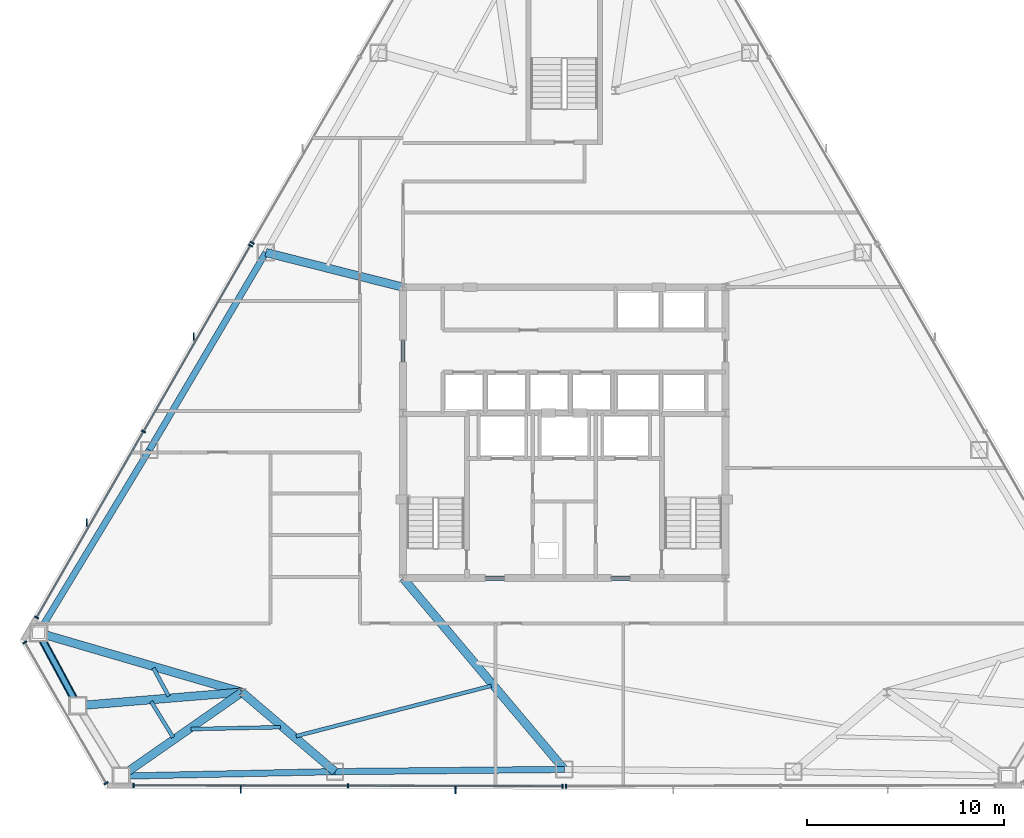
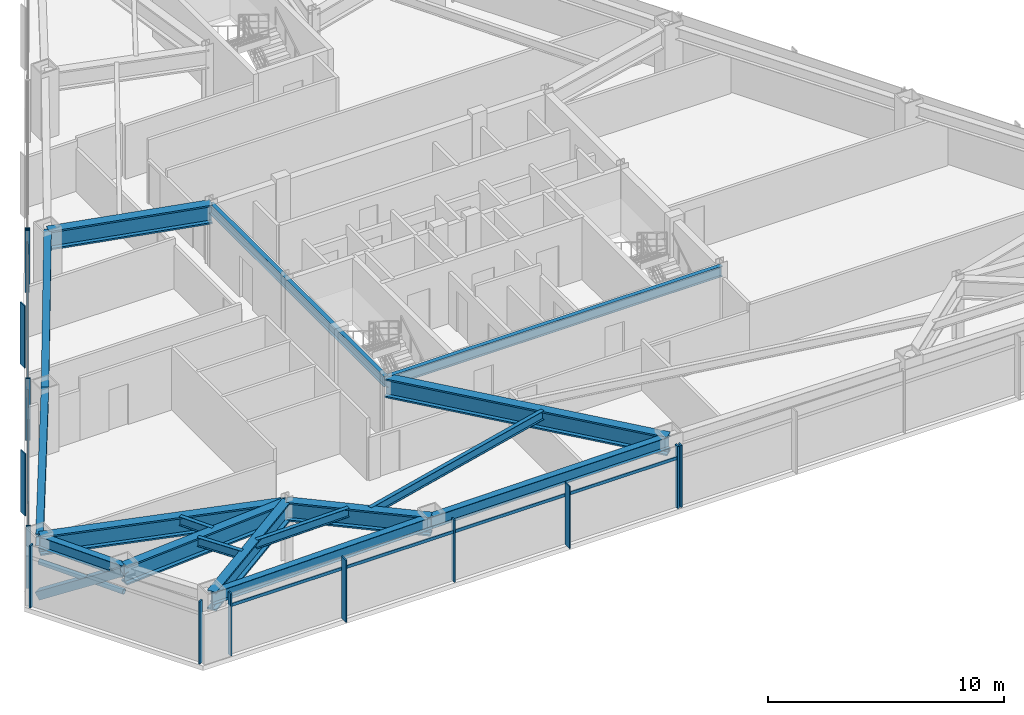
# One storey, part 4 of 13: 18 members, 17 beams, 5 elements without a shape of their own.
"""IFC4 building model written with IfcOpenShell, lengths in metres."""

import ifcopenshell
import ifcopenshell.guid

model = None  # the IFC model being written
_history = None  # IfcOwnerHistory: only IFC2X3 demands one
_inside = {}  # id of a spatial element -> (the spatial element, [elements in it])
_under = {}  # id of a project, library or spatial element -> (it, [spatial elements below it])
_declared = {}  # id of a project -> (the project, [libraries it declares])
_typed = {}  # id of a type object -> (the type object, [elements of that type])
_made_of = {}  # id of a material, layer set ... -> (it, [elements and type objects made of it])


def new_model(schema):
    """Start an empty IFC model of exactly this schema.

    Asked for "IFC4X3", IfcOpenShell would pick the latest addendum, in which some entities
    have other attributes; the version numbers below select the first issue.
    IFC2X3 requires an IfcOwnerHistory on every rooted entity: one is made here for all.
    """
    global model, _history
    if schema == "IFC4X3":
        model = ifcopenshell.file(schema_version=(4, 3, 0, 0))
    else:
        model = ifcopenshell.file(schema=schema)
    _inside.clear()
    _under.clear()
    _declared.clear()
    _typed.clear()
    _made_of.clear()
    _history = None
    if model.schema == "IFC2X3":
        org = make("IfcOrganization", Name="unknown")
        user = make(
            "IfcPersonAndOrganization",
            ThePerson=make("IfcPerson", FamilyName="unknown"),
            TheOrganization=org,
        )
        app = make(
            "IfcApplication",
            ApplicationDeveloper=org,
            Version="unknown",
            ApplicationFullName="unknown",
            ApplicationIdentifier="unknown",
        )
        _history = make(
            "IfcOwnerHistory",
            OwningUser=user,
            OwningApplication=app,
            ChangeAction="ADDED",
            CreationDate=0,
        )
    return model


def make(cls, **values):
    """One entity of the class cls with the attributes given. An attribute that is None is left unset."""
    return model.create_entity(
        cls, **{name: value for name, value in values.items() if value is not None}
    )


def rooted(cls, **values):
    """An entity with a GlobalId (a new one), such as an element, a storey or a relation."""
    return make(cls, GlobalId=ifcopenshell.guid.new(), OwnerHistory=_history, **values)


def si_unit(unit_type, name, prefix=None):
    """IfcSIUnit, for example si_unit("LENGTHUNIT", "METRE", prefix="MILLI")."""
    return make("IfcSIUnit", UnitType=unit_type, Prefix=prefix, Name=name)


def assignment(units):
    """IfcUnitAssignment: the units of a project."""
    return None if units is None else make("IfcUnitAssignment", Units=units)


def point(xyz):
    """IfcCartesianPoint."""
    return None if xyz is None else make("IfcCartesianPoint", Coordinates=xyz)


def direction(xyz):
    """IfcDirection."""
    return None if xyz is None else make("IfcDirection", DirectionRatios=xyz)


def frame(location, z_axis=None, x_axis=None):
    """IfcAxis2Placement3D, a coordinate frame: its origin and axes. An axis left out is left unset."""
    return make(
        "IfcAxis2Placement3D",
        Location=point(location),
        Axis=direction(z_axis),
        RefDirection=direction(x_axis),
    )


def frame_2d(location, x_axis=None):
    """IfcAxis2Placement2D, a coordinate frame in the plane: its origin and x axis."""
    return make(
        "IfcAxis2Placement2D", Location=point(location), RefDirection=direction(x_axis)
    )


def origin():
    """The frame at (0, 0, 0) with its axes left unset."""
    return frame((0.0, 0.0, 0.0))


def origin_2d():
    """The frame at (0, 0) in the plane with its x axis left unset."""
    return frame_2d((0.0, 0.0))


def place(relative_to, where):
    """IfcLocalPlacement: puts the frame where relative to a parent placement (None: the world)."""
    return make(
        "IfcLocalPlacement", PlacementRelTo=relative_to, RelativePlacement=where
    )


def context(
    kind, dimensions, precision=None, world=None, true_north=None, identifier=None
):
    """IfcGeometricRepresentationContext, for example the 3D "Model" context."""
    return make(
        "IfcGeometricRepresentationContext",
        ContextIdentifier=identifier,
        ContextType=kind,
        CoordinateSpaceDimension=dimensions,
        Precision=precision,
        WorldCoordinateSystem=world,
        TrueNorth=true_north,
    )


def subcontext(parent, identifier, kind, view, scale=None):
    """IfcGeometricRepresentationSubContext, for example "Body" below "Model"."""
    return make(
        "IfcGeometricRepresentationSubContext",
        ContextIdentifier=identifier,
        ContextType=kind,
        ParentContext=parent,
        TargetScale=scale,
        TargetView=view,
    )


def project(units=None, contexts=None):
    """IfcProject with its units and contexts."""
    return rooted(
        "IfcProject",
        Name="project",
        RepresentationContexts=contexts,
        UnitsInContext=assignment(units),
    )


def spatial(cls, under=None, at=None, **own):
    """A site, building, storey or space (cls), placed at a placement, below another one or the project."""
    s = rooted(cls, ObjectPlacement=at, **own)
    if under is not None:
        _under.setdefault(under.id(), (under, []))[1].append(s)
    return s


def profile(cls, at=None, kind="AREA", **sizes):
    """A parametric profile (cls). Its sizes go by their IFC names, for example OverallWidth=200.0."""
    return make(cls, ProfileType=kind, Position=at, **sizes)


def rectangle(**sizes):
    """IfcRectangleProfileDef."""
    return profile("IfcRectangleProfileDef", **sizes)


def hollow_rectangle(**sizes):
    """IfcRectangleHollowProfileDef."""
    return profile("IfcRectangleHollowProfileDef", **sizes)


def hollow_circle(**sizes):
    """IfcCircleHollowProfileDef."""
    return profile("IfcCircleHollowProfileDef", **sizes)


def i_section(**sizes):
    """IfcIShapeProfileDef."""
    return profile("IfcIShapeProfileDef", **sizes)


def extrude(swept, where, along, depth):
    """IfcExtrudedAreaSolid: the profile swept, set in the frame where, extruded along a direction by depth."""
    return make(
        "IfcExtrudedAreaSolid",
        SweptArea=swept,
        Position=where,
        ExtrudedDirection=direction(along),
        Depth=depth,
    )


def shape(context_of_items, identifier, shape_type, items):
    """IfcShapeRepresentation: the items that make up one representation, for example the "Body"."""
    return make(
        "IfcShapeRepresentation",
        ContextOfItems=context_of_items,
        RepresentationIdentifier=identifier,
        RepresentationType=shape_type,
        Items=items,
    )


def source(mapping_origin, context_of_items, identifier, shape_type, items):
    """IfcRepresentationMap: a shape defined once, which mapped items show again and again."""
    return make(
        "IfcRepresentationMap",
        MappingOrigin=mapping_origin,
        MappedRepresentation=shape(context_of_items, identifier, shape_type, items),
    )


def transform(
    local_origin,
    x_axis=None,
    y_axis=None,
    z_axis=None,
    scale=None,
    scale2=None,
    scale3=None,
    uniform=True,
):
    """IfcCartesianTransformationOperator3D, or its non-uniform kind. x_axis, y_axis, z_axis: its Axis1, 2, 3."""
    if uniform:
        return make(
            "IfcCartesianTransformationOperator3D",
            Axis1=direction(x_axis),
            Axis2=direction(y_axis),
            LocalOrigin=point(local_origin),
            Scale=scale,
            Axis3=direction(z_axis),
        )
    return make(
        "IfcCartesianTransformationOperator3DnonUniform",
        Axis1=direction(x_axis),
        Axis2=direction(y_axis),
        LocalOrigin=point(local_origin),
        Scale=scale,
        Axis3=direction(z_axis),
        Scale2=scale2,
        Scale3=scale3,
    )


def mapped(mapping_source, mapping_target):
    """IfcMappedItem: shows the shape of a source again, moved by a transform."""
    return make(
        "IfcMappedItem", MappingSource=mapping_source, MappingTarget=mapping_target
    )


def material(Name=None, Category=None):
    """IfcMaterial."""
    return make("IfcMaterial", Name=Name, Category=Category)


def layer(
    of_material, thickness, ventilated=None, Name=None, Category=None, Priority=None
):
    """IfcMaterialLayer: one layer of a wall or slab, of a material (None: an air gap)."""
    return make(
        "IfcMaterialLayer",
        Material=of_material,
        LayerThickness=thickness,
        IsVentilated=ventilated,
        Name=Name,
        Category=Category,
        Priority=Priority,
    )


def layer_set(layers, Name=None):
    """IfcMaterialLayerSet."""
    return make("IfcMaterialLayerSet", MaterialLayers=layers, LayerSetName=Name)


def material_profile(
    of_material, cross_section, Name=None, Category=None, Priority=None
):
    """IfcMaterialProfile: a cross section and its material."""
    return make(
        "IfcMaterialProfile",
        Name=Name,
        Material=of_material,
        Profile=cross_section,
        Priority=Priority,
        Category=Category,
    )


def profile_set(profiles, Name=None, composite=None):
    """IfcMaterialProfileSet."""
    return make(
        "IfcMaterialProfileSet",
        Name=Name,
        MaterialProfiles=profiles,
        CompositeProfile=composite,
    )


def made_of(thing, what):
    """Note that an element or type object is made of a material, layer set ...; save() writes the relation."""
    if what is not None:
        _made_of.setdefault(what.id(), (what, []))[1].append(thing)
    return thing


def type_object(cls, material=None, **own):
    """A type object (cls), such as IfcWallType, which elements share."""
    return made_of(rooted(cls, **own), material)


def type_shapes(of_type, sources):
    """Give a type object the sources (RepresentationMaps) that its elements show as mapped items."""
    of_type.RepresentationMaps = sources


def element(
    cls,
    number,
    at=None,
    inside=None,
    cuts=None,
    type_object=None,
    material=None,
    context=None,
    identifier="Body",
    shape_type=None,
    held_by="IfcProductDefinitionShape",
    body=None,
    shapes=None,
    **own,
):
    """One element of the class cls, such as IfcWall. Its Tag is "e" and its number.

    at: its placement. inside: the storey or other place that contains it. cuts: it is an
    opening in that element (IfcRelVoidsElement). A single representation is given by context,
    identifier, shape_type and body (its items); several are given by shapes. held_by: the class
    of the entity that holds the representations. save() writes the other relations.
    """
    e = rooted(cls, Tag="e%d" % number, ObjectPlacement=at, **own)
    if body is not None:
        shapes = [shape(context, identifier, shape_type, body)]
    if shapes is not None:
        e.Representation = make(held_by, Representations=shapes)
    if inside is not None:
        _inside.setdefault(inside.id(), (inside, []))[1].append(e)
    if cuts is not None:
        rooted(
            "IfcRelVoidsElement", RelatingBuildingElement=cuts, RelatedOpeningElement=e
        )
    if type_object is not None:
        _typed.setdefault(type_object.id(), (type_object, []))[1].append(e)
    return made_of(e, material)


def aggregate(whole, parts):
    """IfcRelAggregates: a whole, such as a stair, and the parts it consists of."""
    return rooted("IfcRelAggregates", RelatingObject=whole, RelatedObjects=parts)


def save(model, path):
    """Write the relations noted so far, then the file.

    IfcRelAggregates (storeys below a building ...), IfcRelContainedInSpatialStructure (elements
    in a storey), IfcRelDefinesByType, IfcRelAssociatesMaterial and IfcRelDeclares: one each for
    every whole, place, type object, material and project.
    """
    for whole, parts in _under.values():
        aggregate(whole, parts)
    for where, things in _inside.values():
        rooted(
            "IfcRelContainedInSpatialStructure",
            RelatedElements=things,
            RelatingStructure=where,
        )
    for kind, things in _typed.values():
        rooted("IfcRelDefinesByType", RelatedObjects=things, RelatingType=kind)
    for what, things in _made_of.values():
        rooted("IfcRelAssociatesMaterial", RelatedObjects=things, RelatingMaterial=what)
    for by, libraries in _declared.values():
        rooted("IfcRelDeclares", RelatingContext=by, RelatedDefinitions=libraries)
    model.write(path)


model = new_model("IFC4")

# Units and contexts
model_context = context("Model", 3, precision=1e-05, world=origin(), true_north=direction((0.0, 1.0)))
body_context = subcontext(model_context, "Body", "Model", "MODEL_VIEW")
ifc_project = project(units=[si_unit("LENGTHUNIT", "METRE"), si_unit("AREAUNIT", "SQUARE_METRE"), si_unit("VOLUMEUNIT", "CUBIC_METRE"), si_unit("PLANEANGLEUNIT", "RADIAN"), si_unit("MASSUNIT", "GRAM", prefix="KILO")], contexts=[model_context])

# Site, building, storey
site_placement = place(None, origin())
site = spatial("IfcSite", under=ifc_project, at=site_placement, CompositionType="ELEMENT")
building_placement = place(site_placement, origin())
building = spatial("IfcBuilding", under=site, at=building_placement, Name="Varakhsha Concourse Tower", CompositionType="ELEMENT")
storey_placement = place(building_placement, frame((0.0, 0.0, 126.35009765625)))
storey = spatial("IfcBuildingStorey", under=building, at=storey_placement, Name="L36", CompositionType="ELEMENT", Elevation=126.35009765625)

# Beams
ifc_material_1 = material(Name="Structural Steel ASTM A992 Grade 50", Category="steel")
ifc_material_profile_1 = material_profile(ifc_material_1, i_section(OverallWidth=0.19091796875, OverallDepth=0.45703125, WebThickness=0.009033203125, FlangeThickness=0.013916015625, at=origin_2d()), Name="W18X50")
ifc_profile_set_1 = profile_set([ifc_material_profile_1], Name="Structural Steel ASTM A992 Grade 50")
beam_type_1 = type_object("IfcBeamType", Name="BM-JST-W18X50", PredefinedType="JOIST", material=ifc_profile_set_1)
beam_1_placement = place(storey_placement, frame((19.1005859375, 11.83154296875, 2.9814453125), z_axis=(0.474928924702, -0.88002415676, 0.0), x_axis=(0.88002415676, 0.474928924702, 0.0)))
element("IfcBeam", 1, at=beam_1_placement, inside=storey, type_object=beam_type_1, Name="BM-TJST-L36-07", PredefinedType="JOIST", context=body_context, shape_type="SweptSolid", body=[
    extrude(i_section(OverallWidth=0.19091796875, OverallDepth=0.45703125, WebThickness=0.009033203125, FlangeThickness=0.013916015625, at=origin_2d()), origin(), (0.0, 0.0, 1.0), 1.632568359375),
])
beam_2_placement = place(storey_placement, frame((18.984619140625, 10.121826171875, 2.9814453125), z_axis=(0.524619789349, -0.851336641184, 0.0), x_axis=(0.851336641184, 0.524619789349, 0.0)))
element("IfcBeam", 2, at=beam_2_placement, inside=storey, type_object=beam_type_1, Name="BM-TJST-L36-08", PredefinedType="JOIST", context=body_context, shape_type="SweptSolid", body=[
    extrude(i_section(OverallWidth=0.19091796875, OverallDepth=0.45703125, WebThickness=0.009033203125, FlangeThickness=0.013916015625, at=origin_2d()), origin(), (0.0, 0.0, 1.0), 2.137939453125),
])
beam_3_placement = place(storey_placement, frame((21.01025390625, 8.722900390625, 2.9814453125), z_axis=(0.999774600356, 0.021230837996, 0.0), x_axis=(-0.021230837996, 0.999774600356, 0.0)))
element("IfcBeam", 3, at=beam_3_placement, inside=storey, type_object=beam_type_1, Name="BM-TJST-L36-09", PredefinedType="JOIST", context=body_context, shape_type="SweptSolid", body=[
    extrude(i_section(OverallWidth=0.19091796875, OverallDepth=0.45703125, WebThickness=0.009033203125, FlangeThickness=0.013916015625, at=origin_2d()), origin(), (0.0, 0.0, 1.0), 4.565185546875),
])
beam_4_placement = place(storey_placement, frame((26.359375, 8.36474609375, 2.9814453125), z_axis=(0.968318391646, 0.249718826682, 0.0), x_axis=(-0.249718826682, 0.968318391646, 0.0)))
element("IfcBeam", 4, at=beam_4_placement, inside=storey, type_object=beam_type_1, Name="BM-TJST-L36-10", PredefinedType="JOIST", context=body_context, shape_type="SweptSolid", body=[
    extrude(i_section(OverallWidth=0.19091796875, OverallDepth=0.45703125, WebThickness=0.009033203125, FlangeThickness=0.013916015625, at=origin_2d()), origin(), (0.0, 0.0, 1.0), 10.250732421875),
])
ifc_material_profile_2 = material_profile(ifc_material_1, i_section(OverallWidth=0.2109375, OverallDepth=0.5390625, WebThickness=0.011962890625, FlangeThickness=0.01904296875, at=origin_2d()), Name="W21X73")
ifc_profile_set_2 = profile_set([ifc_material_profile_2], Name="Structural Steel ASTM A992 Grade 50")
beam_type_2 = type_object("IfcBeamType", Name="BM-RAD-W21X73", PredefinedType="BEAM", material=ifc_profile_set_2)
beam_5_placement = place(storey_placement, frame((31.800048828125, 16.39990234375, 2.9404296875), z_axis=(1.0, 0.0, 0.0), x_axis=(0.0, 1.0, 0.0)))
element("IfcBeam", 5, at=beam_5_placement, inside=storey, type_object=beam_type_2, Name="BM-TCORE-L36-CS", PredefinedType="BEAM", context=body_context, shape_type="SweptSolid", body=[
    extrude(i_section(OverallWidth=0.2109375, OverallDepth=0.5390625, WebThickness=0.011962890625, FlangeThickness=0.01904296875, at=origin_2d()), origin(), (0.0, 0.0, 1.0), 16.39990234375),
])
beam_6_placement = place(storey_placement, frame((31.800048828125, 16.39990234375, 2.9404296875), z_axis=(0.0, 1.0, 0.0), x_axis=(-1.0, 0.0, 0.0)))
element("IfcBeam", 6, at=beam_6_placement, inside=storey, type_object=beam_type_2, Name="BM-TCORE-L36-CW", PredefinedType="BEAM", context=body_context, shape_type="SweptSolid", body=[
    extrude(i_section(OverallWidth=0.2109375, OverallDepth=0.5390625, WebThickness=0.011962890625, FlangeThickness=0.01904296875, at=origin_2d()), origin(), (0.0, 0.0, 1.0), 14.800048828125),
])
ifc_material_profile_3 = material_profile(ifc_material_1, i_section(OverallWidth=0.323974609375, OverallDepth=0.611083984375, WebThickness=0.012939453125, FlangeThickness=0.01904296875, at=origin_2d()), Name="W24X104")
ifc_profile_set_3 = profile_set([ifc_material_profile_3], Name="Structural Steel ASTM A992 Grade 50")
beam_type_3 = type_object("IfcBeamType", Name="BM-SPAN-W24X104", PredefinedType="SPANDREL", material=ifc_profile_set_3)
beam_7_placement = place(storey_placement, frame((24.819580078125, 32.96435546875, 2.904296875), z_axis=(-0.508260965331, -0.861203106776, 0.0), x_axis=(0.861203106776, -0.508260965331, 0.0)))
element("IfcBeam", 7, at=beam_7_placement, inside=storey, type_object=beam_type_3, Name="BM-SPAN-L36-05", PredefinedType="SPANDREL", context=body_context, shape_type="SweptSolid", body=[
    extrude(i_section(OverallWidth=0.323974609375, OverallDepth=0.611083984375, WebThickness=0.012939453125, FlangeThickness=0.01904296875, at=origin_2d()), origin(), (0.0, 0.0, 1.0), 11.663330078125),
])
beam_8_placement = place(storey_placement, frame((18.8916015625, 22.919921875, 2.904296875), z_axis=(-0.518277337211, -0.855212606159, 0.0), x_axis=(0.855212606159, -0.518277337211, 0.0)))
element("IfcBeam", 8, at=beam_8_placement, inside=storey, type_object=beam_type_3, Name="BM-SPAN-L36-06", PredefinedType="SPANDREL", context=body_context, shape_type="SweptSolid", body=[
    extrude(i_section(OverallWidth=0.323974609375, OverallDepth=0.611083984375, WebThickness=0.012939453125, FlangeThickness=0.01904296875, at=origin_2d()), origin(), (0.0, 0.0, 1.0), 10.87548828125),
])
beam_9_placement = place(storey_placement, frame((13.255126953125, 13.619140625, 2.904296875), z_axis=(0.474894827548, -0.880042557362, 0.0), x_axis=(0.880042557362, 0.474894827548, 0.0)))
element("IfcBeam", 9, at=beam_9_placement, inside=storey, type_object=beam_type_3, Name="BM-SPAN-L36-07", PredefinedType="SPANDREL", context=body_context, shape_type="SweptSolid", body=[
    extrude(i_section(OverallWidth=0.323974609375, OverallDepth=0.611083984375, WebThickness=0.012939453125, FlangeThickness=0.01904296875, at=origin_2d()), origin(), (0.0, 0.0, 1.0), 4.2109375),
])
beam_10_placement = place(storey_placement, frame((17.46435546875, 6.328857421875, 2.904296875), z_axis=(0.999774947376, 0.021214490295, 0.0), x_axis=(-0.021214490295, 0.999774947376, 0.0)))
element("IfcBeam", 10, at=beam_10_placement, inside=storey, type_object=beam_type_3, Name="BM-SPAN-L36-09", PredefinedType="SPANDREL", context=body_context, shape_type="SweptSolid", body=[
    extrude(i_section(OverallWidth=0.323974609375, OverallDepth=0.611083984375, WebThickness=0.012939453125, FlangeThickness=0.01904296875, at=origin_2d()), origin(), (0.0, 0.0, 1.0), 10.875244140625),
])
beam_11_placement = place(storey_placement, frame((28.337158203125, 6.5595703125, 2.904296875), z_axis=(0.999954043986, 0.009586965987, 0.0), x_axis=(-0.009586965987, 0.999954043986, 0.0)))
element("IfcBeam", 11, at=beam_11_placement, inside=storey, type_object=beam_type_3, Name="BM-SPAN-L36-10", PredefinedType="SPANDREL", context=body_context, shape_type="SweptSolid", body=[
    extrude(i_section(OverallWidth=0.323974609375, OverallDepth=0.611083984375, WebThickness=0.012939453125, FlangeThickness=0.01904296875, at=origin_2d()), origin(), (0.0, 0.0, 1.0), 11.663330078125),
])
ifc_material_profile_4 = material_profile(ifc_material_1, i_section(OverallWidth=0.427978515625, OverallDepth=0.97509765625, WebThickness=0.050048828125, FlangeThickness=0.0810546875, at=origin_2d()), Name="W36X395")
ifc_profile_set_4 = profile_set([ifc_material_profile_4], Name="Structural Steel ASTM A992 Grade 50")
beam_type_4 = type_object("IfcBeamType", Name="BM-XFER-W36X395", PredefinedType="USERDEFINED", material=ifc_profile_set_4)
beam_12_placement = place(storey_placement, frame((31.800048828125, 31.199951171875, 2.722412109375), z_axis=(-0.969508926841, 0.245055995183, 0.0), x_axis=(-0.245055995183, -0.969508926841, 0.0)))
element("IfcBeam", 12, at=beam_12_placement, inside=storey, type_object=beam_type_4, Name="L36 Radial Floor Girder 05", ObjectType="GIRDER", PredefinedType="USERDEFINED", context=body_context, shape_type="SweptSolid", body=[
    extrude(i_section(OverallWidth=0.427978515625, OverallDepth=0.97509765625, WebThickness=0.050048828125, FlangeThickness=0.0810546875, at=origin_2d()), origin(), (0.0, 0.0, 1.0), 7.199951171875),
])
beam_13_placement = place(storey_placement, frame((23.60009765625, 10.60009765625, 2.722412109375), z_axis=(-0.959956092068, 0.280150497593, 0.0), x_axis=(-0.280150497593, -0.959956092068, 0.0)))
element("IfcBeam", 13, at=beam_13_placement, inside=storey, type_object=beam_type_4, Name="L36 Radial Floor Girder 07", ObjectType="GIRDER", PredefinedType="USERDEFINED", context=body_context, shape_type="SweptSolid", body=[
    extrude(i_section(OverallWidth=0.427978515625, OverallDepth=0.97509765625, WebThickness=0.050048828125, FlangeThickness=0.0810546875, at=origin_2d()), origin(), (0.0, 0.0, 1.0), 10.776611328125),
])
beam_14_placement = place(storey_placement, frame((23.60009765625, 10.60009765625, 2.722412109375), z_axis=(-0.996630888182, -0.082017514729, 0.0), x_axis=(0.082017514729, -0.996630888182, 0.0)))
element("IfcBeam", 14, at=beam_14_placement, inside=storey, type_object=beam_type_4, Name="L36 Radial Floor Girder 08", ObjectType="GIRDER", PredefinedType="USERDEFINED", context=body_context, shape_type="SweptSolid", body=[
    extrude(i_section(OverallWidth=0.427978515625, OverallDepth=0.97509765625, WebThickness=0.050048828125, FlangeThickness=0.0810546875, at=origin_2d()), origin(), (0.0, 0.0, 1.0), 8.37353515625),
])
beam_15_placement = place(storey_placement, frame((23.60009765625, 10.60009765625, 2.722412109375), z_axis=(-0.820723448581, -0.57132566978, 0.0), x_axis=(0.57132566978, -0.820723448581, 0.0)))
element("IfcBeam", 15, at=beam_15_placement, inside=storey, type_object=beam_type_4, Name="L36 Radial Floor Girder 09", ObjectType="GIRDER", PredefinedType="USERDEFINED", context=body_context, shape_type="SweptSolid", body=[
    extrude(i_section(OverallWidth=0.427978515625, OverallDepth=0.97509765625, WebThickness=0.050048828125, FlangeThickness=0.0810546875, at=origin_2d()), origin(), (0.0, 0.0, 1.0), 7.47607421875),
])
beam_16_placement = place(storey_placement, frame((23.60009765625, 10.60009765625, 2.722412109375), z_axis=(0.760826549382, -0.648955284866, 0.0), x_axis=(0.648955284866, 0.760826549382, 0.0)))
element("IfcBeam", 16, at=beam_16_placement, inside=storey, type_object=beam_type_4, Name="L36 Radial Floor Girder 10", ObjectType="GIRDER", PredefinedType="USERDEFINED", context=body_context, shape_type="SweptSolid", body=[
    extrude(i_section(OverallWidth=0.427978515625, OverallDepth=0.97509765625, WebThickness=0.050048828125, FlangeThickness=0.0810546875, at=origin_2d()), origin(), (0.0, 0.0, 1.0), 6.226318359375),
])
beam_17_placement = place(storey_placement, frame((31.800048828125, 16.39990234375, 2.722412109375), z_axis=(0.644481351405, -0.764620028309, 0.0), x_axis=(0.764620028309, 0.644481351405, 0.0)))
element("IfcBeam", 17, at=beam_17_placement, inside=storey, type_object=beam_type_4, Name="L36 Radial Floor Girder 11", ObjectType="GIRDER", PredefinedType="USERDEFINED", context=body_context, shape_type="SweptSolid", body=[
    extrude(i_section(OverallWidth=0.427978515625, OverallDepth=0.97509765625, WebThickness=0.050048828125, FlangeThickness=0.0810546875, at=origin_2d()), origin(), (0.0, 0.0, 1.0), 12.723388671875),
])

# Members
ifc_material_2 = material(Name="Structural Steel ASTM A500 Grade C", Category="steel")
ifc_material_profile_5 = material_profile(ifc_material_2, hollow_rectangle(XDim=0.39990234375, YDim=0.39990234375, WallThickness=0.01611328125, at=origin_2d()), Name="HSS 400x400x16")
ifc_profile_set_5 = profile_set([ifc_material_profile_5], Name="Structural Steel ASTM A500 Grade C")
member_type_1 = type_object("IfcMemberType", Name="MB-TUBE-HSS400", PredefinedType="BRACE", material=ifc_profile_set_5)
shared_shape_1 = source(origin(), body_context, "Body", "SweptSolid", [
    extrude(hollow_rectangle(XDim=0.39990234375, YDim=0.39990234375, WallThickness=0.01611328125, at=origin_2d()), origin(), (0.0, 0.0, 1.0), 5.05126953125),
])
type_shapes(member_type_1, [shared_shape_1])
member_1_placement = place(storey_placement, frame((13.255126953125, 13.619140625, 0.119873046875), z_axis=(0.395883594231, -0.733624353173, 0.552332769488), x_axis=(0.880042557362, 0.474894827548, 0.0)))
element("IfcMember", 18, at=member_1_placement, inside=storey, type_object=member_type_1, Name="L36 Wind-Corner Tube Brace B03", PredefinedType="BRACE", context=body_context, shape_type="MappedRepresentation", body=[
    mapped(shared_shape_1, transform((0.0, 0.0, 0.0), scale=1.0)),
])
ifc_material_profile_6 = material_profile(ifc_material_2, hollow_circle(Radius=0.136474609375, WallThickness=0.011962890625, at=origin_2d()), Name="CHS 273x12")
ifc_profile_set_6 = profile_set([ifc_material_profile_6], Name="Structural Steel ASTM A500 Grade C")
member_type_2 = type_object("IfcMemberType", Name="MB-WIND-CHS273", PredefinedType="COLLAR", material=ifc_profile_set_6)
shared_shape_2 = source(origin(), body_context, "Body", "SweptSolid", [
    extrude(hollow_circle(Radius=0.136474609375, WallThickness=0.011962890625, at=origin_2d()), origin(), (0.0, 0.0, 1.0), 4.2109375),
])
type_shapes(member_type_2, [shared_shape_2])
member_2_placement = place(storey_placement, frame((13.255126953125, 13.619140625, 1.7998046875), z_axis=(0.474894827548, -0.880042557362, 0.0), x_axis=(0.880042557362, 0.474894827548, 0.0)))
element("IfcMember", 19, at=member_2_placement, inside=storey, type_object=member_type_2, Name="L36 Wind-Corner Collar Tie 2", PredefinedType="COLLAR", context=body_context, shape_type="MappedRepresentation", body=[
    mapped(shared_shape_2, transform((0.0, 0.0, 0.0), scale=1.0)),
])

# Curtain wall, member
ifc_material_3 = material(Name="Anodised Bronze Architectural Aluminium AA 6063-T6", Category="aluminium")
ifc_layer = layer(ifc_material_3, 0.2099609375, Name="CW-SYS-04")
ifc_layer_set = layer_set([ifc_layer], Name="Anodised Bronze Architectural Aluminium AA 6063-T6")
curtain_wall_type = type_object("IfcCurtainWallType", Name="CW-SYS-04", PredefinedType="NOTDEFINED", material=ifc_layer_set)
curtain_wall_1_placement = place(storey_placement, origin())
curtain_wall_1 = element("IfcCurtainWall", 20, at=curtain_wall_1_placement, inside=storey, type_object=curtain_wall_type, Name="L36 Crystal Curtain Wall F2", PredefinedType="NOTDEFINED")
ifc_material_profile_7 = material_profile(ifc_material_3, rectangle(XDim=0.074951171875, YDim=0.219970703125, at=origin_2d()), Name="CWM-220X75")
ifc_profile_set_7 = profile_set([ifc_material_profile_7], Name="Anodised Bronze Architectural Aluminium AA 6063-T6")
member_type_3 = type_object("IfcMemberType", Name="CWM-220X75", PredefinedType="MULLION", material=ifc_profile_set_7)
shared_shape_3 = source(origin(), body_context, "Body", "SweptSolid", [
    extrude(rectangle(XDim=0.074951171875, YDim=0.219970703125, at=origin_2d()), origin(), (0.0, 0.0, 1.0), 3.2099609375),
])
type_shapes(member_type_3, [shared_shape_3])
member_3_placement = place(storey_placement, frame((24.121826171875, 33.459228515625, 0.0), z_axis=(0.0, 0.0, 1.0), x_axis=(0.501513757105, 0.865149669962, 0.0)))
member_3 = element("IfcMember", 21, at=member_3_placement, type_object=member_type_3, Name="CW-L36-F2 Mullion 00", PredefinedType="MULLION", context=body_context, shape_type="MappedRepresentation", body=[
    mapped(shared_shape_3, transform((0.0, 0.0, 0.0), scale=1.0)),
])
aggregate(curtain_wall_1, [member_3])

# Curtain wall, members
curtain_wall_2_placement = place(storey_placement, origin())
curtain_wall_2 = element("IfcCurtainWall", 22, at=curtain_wall_2_placement, inside=storey, type_object=curtain_wall_type, Name="L36 Crystal Curtain Wall F3", PredefinedType="NOTDEFINED")
member_4_placement = place(storey_placement, frame((13.160888671875, 14.398193359375, 0.0), z_axis=(0.0, 0.0, 1.0), x_axis=(0.498489252773, 0.866895878909, 0.0)))
member_4 = element("IfcMember", 23, at=member_4_placement, type_object=member_type_3, Name="CW-L36-F3 Mullion 00", PredefinedType="MULLION", context=body_context, shape_type="MappedRepresentation", body=[
    mapped(shared_shape_3, transform((0.0, 0.0, 0.0), scale=1.0)),
])
member_5_placement = place(storey_placement, frame((18.6015625, 23.859619140625, 0.0), z_axis=(0.0, 0.0, 1.0), x_axis=(0.498489252773, 0.866895878909, 0.0)))
member_5 = element("IfcMember", 24, at=member_5_placement, type_object=member_type_3, Name="CW-L36-F3 Mullion 01", PredefinedType="MULLION", context=body_context, shape_type="MappedRepresentation", body=[
    mapped(shared_shape_3, transform((0.0, 0.0, 0.0), scale=1.0)),
])
member_6_placement = place(storey_placement, frame((24.0419921875, 33.3212890625, 0.0), z_axis=(0.0, 0.0, 1.0), x_axis=(0.498489252773, 0.866895878909, 0.0)))
member_6 = element("IfcMember", 25, at=member_6_placement, type_object=member_type_3, Name="CW-L36-F3 Mullion 02", PredefinedType="MULLION", context=body_context, shape_type="MappedRepresentation", body=[
    mapped(shared_shape_3, transform((0.0, 0.0, 0.0), scale=1.0)),
])

curtain_wall_3_placement = place(storey_placement, origin())
curtain_wall_3 = element("IfcCurtainWall", 26, at=curtain_wall_3_placement, inside=storey, type_object=curtain_wall_type, Name="L36 Chamfer Curtain Wall F4", PredefinedType="NOTDEFINED")
member_7_placement = place(storey_placement, frame((16.699951171875, 5.970458984375, 0.0), z_axis=(0.0, 0.0, 1.0), x_axis=(-0.500001511499, 0.866024531118, 0.0)))
member_7 = element("IfcMember", 27, at=member_7_placement, type_object=member_type_3, Name="CW-L36-F4 Mullion 00", PredefinedType="MULLION", context=body_context, shape_type="MappedRepresentation", body=[
    mapped(shared_shape_3, transform((0.0, 0.0, 0.0), scale=1.0)),
])
member_8_placement = place(storey_placement, frame((12.562744140625, 13.13623046875, 0.0), z_axis=(0.0, 0.0, 1.0), x_axis=(-0.500001511499, 0.866024531118, 0.0)))
member_8 = element("IfcMember", 28, at=member_8_placement, type_object=member_type_3, Name="CW-L36-F4 Mullion 01", PredefinedType="MULLION", context=body_context, shape_type="MappedRepresentation", body=[
    mapped(shared_shape_3, transform((0.0, 0.0, 0.0), scale=1.0)),
])
aggregate(curtain_wall_3, [member_7, member_8])

curtain_wall_4_placement = place(storey_placement, origin())
curtain_wall_4 = element("IfcCurtainWall", 29, at=curtain_wall_4_placement, inside=storey, type_object=curtain_wall_type, Name="L36 Crystal Curtain Wall F5", PredefinedType="NOTDEFINED")
member_9_placement = place(storey_placement, frame((39.92041015625, 5.8193359375, 0.0), z_axis=(0.0, 0.0, 1.0), x_axis=(-0.999998476913, 0.001745328366, 0.0)))
member_9 = element("IfcMember", 30, at=member_9_placement, type_object=member_type_3, Name="CW-L36-F5 Mullion 00", PredefinedType="MULLION", context=body_context, shape_type="MappedRepresentation", body=[
    mapped(shared_shape_3, transform((0.0, 0.0, 0.0), scale=1.0)),
])
member_10_placement = place(storey_placement, frame((29.006103515625, 5.83837890625, 0.0), z_axis=(0.0, 0.0, 1.0), x_axis=(-0.999998476913, 0.001745328366, 0.0)))
member_10 = element("IfcMember", 31, at=member_10_placement, type_object=member_type_3, Name="CW-L36-F5 Mullion 01", PredefinedType="MULLION", context=body_context, shape_type="MappedRepresentation", body=[
    mapped(shared_shape_3, transform((0.0, 0.0, 0.0), scale=1.0)),
])
member_11_placement = place(storey_placement, frame((18.091796875, 5.857421875, 0.0), z_axis=(0.0, 0.0, 1.0), x_axis=(-0.999998476913, 0.001745328366, 0.0)))
member_11 = element("IfcMember", 32, at=member_11_placement, type_object=member_type_3, Name="CW-L36-F5 Mullion 02", PredefinedType="MULLION", context=body_context, shape_type="MappedRepresentation", body=[
    mapped(shared_shape_3, transform((0.0, 0.0, 0.0), scale=1.0)),
])

# Curtain wall, member
curtain_wall_5_placement = place(storey_placement, origin())
curtain_wall_5 = element("IfcCurtainWall", 33, at=curtain_wall_5_placement, inside=storey, type_object=curtain_wall_type, Name="L36 Crystal Curtain Wall F6", PredefinedType="NOTDEFINED")
member_12_placement = place(storey_placement, frame((40.07958984375, 5.8193359375, 0.0), z_axis=(0.0, 0.0, 1.0), x_axis=(-0.999998476913, -0.001745328366, 0.0)))
member_12 = element("IfcMember", 34, at=member_12_placement, type_object=member_type_3, Name="CW-L36-F6 Mullion 02", PredefinedType="MULLION", context=body_context, shape_type="MappedRepresentation", body=[
    mapped(shared_shape_3, transform((0.0, 0.0, 0.0), scale=1.0)),
])
aggregate(curtain_wall_5, [member_12])

# Member
ifc_material_profile_8 = material_profile(ifc_material_3, rectangle(XDim=0.06005859375, YDim=0.3798828125, at=origin_2d()), Name="FIN-BRZ-380")
ifc_profile_set_8 = profile_set([ifc_material_profile_8], Name="Anodised Bronze Architectural Aluminium AA 6063-T6")
member_type_4 = type_object("IfcMemberType", Name="FIN-BRZ-380", PredefinedType="USERDEFINED", material=ifc_profile_set_8)
shared_shape_4 = source(origin(), body_context, "Body", "SweptSolid", [
    extrude(rectangle(XDim=0.06005859375, YDim=0.3798828125, at=origin_2d()), origin(), (0.0, 0.0, 1.0), 3.2099609375),
])
type_shapes(member_type_4, [shared_shape_4])
member_13_placement = place(storey_placement, frame((15.703369140625, 19.231201171875, 0.0), z_axis=(0.0, 0.0, 1.0), x_axis=(1.0, 0.0, 0.0)))
member_13 = element("IfcMember", 35, at=member_13_placement, type_object=member_type_4, Name="L36 Anodised Bronze Solar Fin F3-1", ObjectType="SOLAR FIN", PredefinedType="USERDEFINED", context=body_context, shape_type="MappedRepresentation", body=[
    mapped(shared_shape_4, transform((0.0, 0.0, 0.0), scale=1.0)),
])

member_14_placement = place(storey_placement, frame((21.14404296875, 28.692626953125, 0.0), z_axis=(0.0, 0.0, 1.0), x_axis=(1.0, 0.0, 0.0)))
member_14 = element("IfcMember", 36, at=member_14_placement, type_object=member_type_4, Name="L36 Anodised Bronze Solar Fin F3-2", ObjectType="SOLAR FIN", PredefinedType="USERDEFINED", context=body_context, shape_type="MappedRepresentation", body=[
    mapped(shared_shape_4, transform((0.0, 0.0, 0.0), scale=1.0)),
])

member_15_placement = place(storey_placement, frame((34.462890625, 5.623779296875, 0.0), z_axis=(0.0, 0.0, 1.0), x_axis=(1.0, 0.0, 0.0)))
member_15 = element("IfcMember", 37, at=member_15_placement, type_object=member_type_4, Name="L36 Anodised Bronze Solar Fin F5-1", ObjectType="SOLAR FIN", PredefinedType="USERDEFINED", context=body_context, shape_type="MappedRepresentation", body=[
    mapped(shared_shape_4, transform((0.0, 0.0, 0.0), scale=1.0)),
])

member_16_placement = place(storey_placement, frame((23.548583984375, 5.64306640625, 0.0), z_axis=(0.0, 0.0, 1.0), x_axis=(1.0, 0.0, 0.0)))
member_16 = element("IfcMember", 38, at=member_16_placement, type_object=member_type_4, Name="L36 Anodised Bronze Solar Fin F5-2", ObjectType="SOLAR FIN", PredefinedType="USERDEFINED", context=body_context, shape_type="MappedRepresentation", body=[
    mapped(shared_shape_4, transform((0.0, 0.0, 0.0), scale=1.0)),
])

ifc_material_profile_9 = material_profile(ifc_material_3, rectangle(XDim=0.06494140625, YDim=0.159912109375, at=origin_2d()), Name="CWT-160X65")
ifc_profile_set_9 = profile_set([ifc_material_profile_9], Name="Anodised Bronze Architectural Aluminium AA 6063-T6")
member_type_5 = type_object("IfcMemberType", Name="CWT-160X65", PredefinedType="USERDEFINED", material=ifc_profile_set_9)
shared_shape_5 = source(origin(), body_context, "Body", "SweptSolid", [
    extrude(rectangle(XDim=0.06494140625, YDim=0.159912109375, at=origin_2d()), origin(), (0.0, 0.0, 1.0), 21.828369140625),
])
member_17_placement = place(storey_placement, frame((13.160888671875, 14.398193359375, 2.559814453125), z_axis=(0.498482261443, 0.866899899081, 0.0), x_axis=(-0.866899899081, 0.498482261443, 0.0)))
member_17 = element("IfcMember", 39, at=member_17_placement, type_object=member_type_5, Name="CW-L36-F3 Transom 01", ObjectType="TRANSOM", PredefinedType="USERDEFINED", context=body_context, shape_type="MappedRepresentation", body=[
    mapped(shared_shape_5, transform((0.0, 0.0, 0.0), scale=1.0)),
])

aggregate(curtain_wall_2, [member_4, member_5, member_6, member_17, member_13, member_14])

shared_shape_6 = source(origin(), body_context, "Body", "SweptSolid", [
    extrude(rectangle(XDim=0.06494140625, YDim=0.159912109375, at=origin_2d()), origin(), (0.0, 0.0, 1.0), 21.82861328125),
])
type_shapes(member_type_5, [shared_shape_5, shared_shape_6])
member_18_placement = place(storey_placement, frame((39.92041015625, 5.8193359375, 2.559814453125), z_axis=(-0.99999847789, 0.001744768623, 0.0), x_axis=(-0.001744768623, -0.99999847789, 0.0)))
member_18 = element("IfcMember", 40, at=member_18_placement, type_object=member_type_5, Name="CW-L36-F5 Transom 01", ObjectType="TRANSOM", PredefinedType="USERDEFINED", context=body_context, shape_type="MappedRepresentation", body=[
    mapped(shared_shape_6, transform((0.0, 0.0, 0.0), scale=1.0)),
])

aggregate(curtain_wall_4, [member_9, member_10, member_11, member_18, member_15, member_16])

save(model, "model.ifc")
